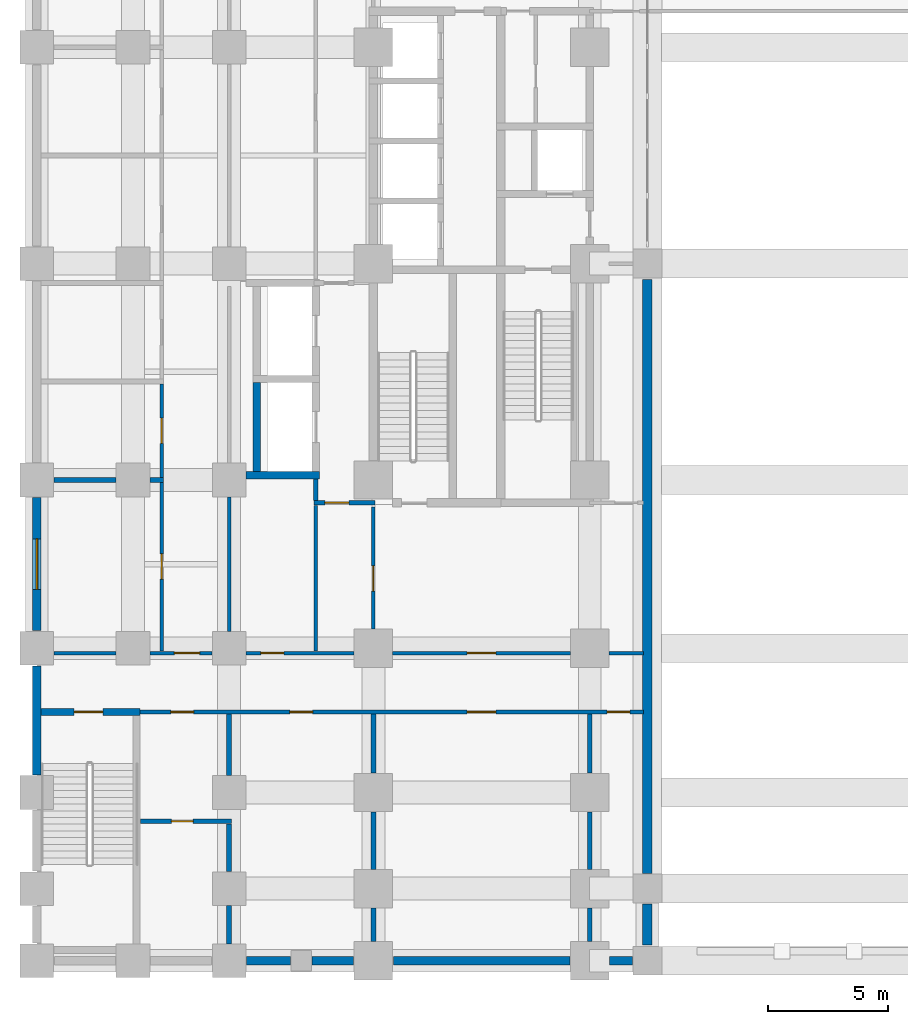
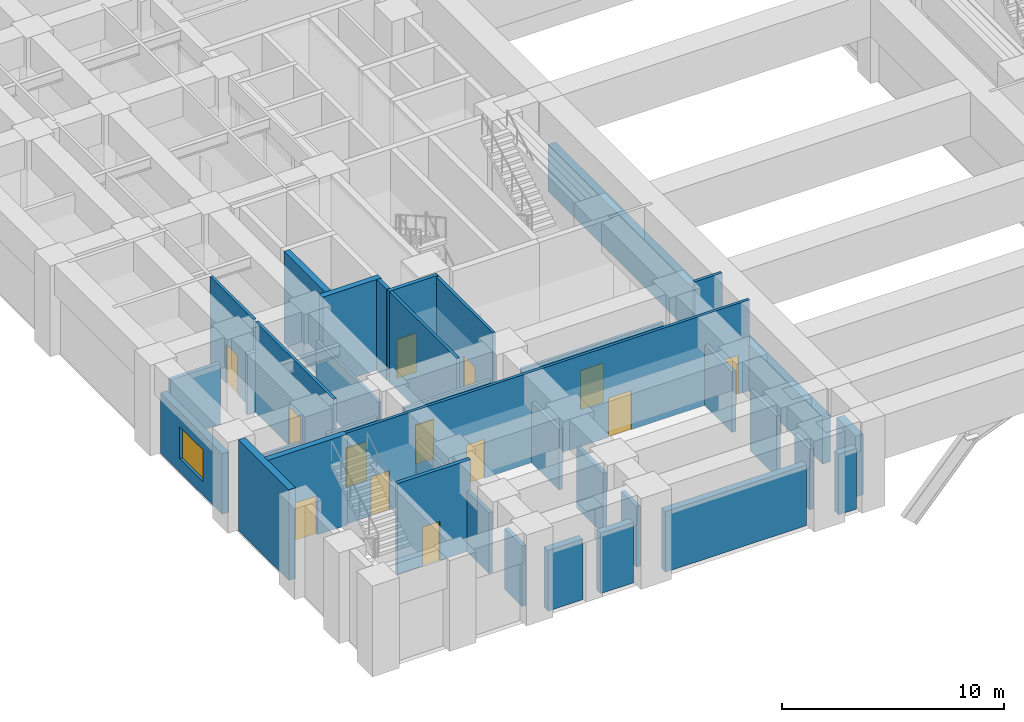
# One storey, part 11 of 24: 36 walls, 13 doors, 1 window, 14 openings.
"""IFC4 building model written with IfcOpenShell, lengths in metres."""

from ifc_helpers import new_model, si_unit, direction, frame, frame_2d, origin, place, context, subcontext, project, spatial, rectangle, extrude, material, layer, layer_set, type_object, element, fill, save


model = new_model("IFC4")

# Units and contexts
model_context = context("Model", 3, precision=1e-05, world=origin(), true_north=direction((0.0, 1.0)))
body_context = subcontext(model_context, "Body", "Model", "MODEL_VIEW")
ifc_project = project(units=[si_unit("LENGTHUNIT", "METRE"), si_unit("AREAUNIT", "SQUARE_METRE"), si_unit("VOLUMEUNIT", "CUBIC_METRE"), si_unit("PLANEANGLEUNIT", "RADIAN"), si_unit("MASSUNIT", "GRAM", prefix="KILO")], contexts=[model_context])

# Site, building, storey
site_placement = place(None, origin())
site = spatial("IfcSite", under=ifc_project, at=site_placement, CompositionType="ELEMENT")
building_placement = place(site_placement, origin())
building = spatial("IfcBuilding", under=site, at=building_placement, Name="Zulmaris Gate Convention Tower", CompositionType="ELEMENT")
storey_placement = place(building_placement, frame((0.0, 0.0, 16.320068359375)))
storey = spatial("IfcBuildingStorey", under=building, at=storey_placement, Name="L03", CompositionType="ELEMENT", Elevation=16.320068359375)

# Wall, opening, door
ifc_material_1 = material(Name="Concrete C50/60", Category="concrete")
ifc_layer_1 = layer(ifc_material_1, 0.300048828125, Name="Concrete C50/60")
ifc_layer_set_1 = layer_set([ifc_layer_1], Name="Concrete C50/60")
wall_type_1 = type_object("IfcWallType", Name="CORE-300", PredefinedType="SHEAR", material=ifc_layer_set_1)
wall_1_placement = place(storey_placement, frame((-33.8349609375, -18.64990234375, 0.0), z_axis=(0.0, 0.0, 1.0), x_axis=(1.0, 0.0, 0.0)))
wall_1 = element("IfcWall", 1, at=wall_1_placement, inside=storey, type_object=wall_type_1, Name="WL-L03-003", PredefinedType="SHEAR", context=body_context, shape_type="SweptSolid", body=[
    extrude(rectangle(XDim=4.135009765625, YDim=0.300048828125, at=frame_2d((2.0673828125, 0.0))), origin(), (0.0, 0.0, 1.0), 4.989990234375),
])
opening_1_placement = place(wall_1_placement, frame((1.385009765625, 0.0, 0.0)))
opening_1 = element("IfcOpeningElement", 2, at=opening_1_placement, cuts=wall_1, Name="Opening D-13", PredefinedType="OPENING", context=body_context, shape_type="SweptSolid", body=[
    extrude(rectangle(XDim=1.199951171875, YDim=2.14990234375, at=frame_2d((0.60009765625, 1.074951171875))), frame((0.0, 0.16015625, 0.0), z_axis=(0.0, -1.0, 0.0), x_axis=(1.0, 0.0, 0.0)), (0.0, 0.0, 1.0), 0.320068359375),
])
ifc_material_2 = material(Name="Fire-Rated Steel", Category="steel")
door_type_1 = type_object("IfcDoorType", Name="DR-1200-FD", OperationType="NOTDEFINED", PredefinedType="DOOR", material=ifc_material_2)
door_1_placement = place(opening_1_placement, origin())
door_1 = element("IfcDoor", 3, at=door_1_placement, inside=storey, type_object=door_type_1, Name="L03 Exit Stair ST-4 Door 23", OperationType="SINGLE_SWING_LEFT", OverallHeight=2.14990234375, OverallWidth=1.199951171875, PredefinedType="DOOR", context=body_context, shape_type="SweptSolid", body=[
    extrude(rectangle(XDim=1.199951171875, YDim=2.14990234375, at=frame_2d((0.60009765625, 1.074951171875))), frame((0.0, 0.02490234375, 0.0), z_axis=(0.0, -1.0, 0.0), x_axis=(1.0, 0.0, 0.0)), (0.0, 0.0, 1.0), 0.050048828125),
])
fill(opening_1, door_1)

# Walls
wall_2_placement = place(storey_placement, frame((-25.2958984375, -8.800048828125, 0.0), z_axis=(0.0, 0.0, 1.0), x_axis=(1.0, 0.0, 0.0)))
element("IfcWall", 4, at=wall_2_placement, inside=storey, type_object=wall_type_1, Name="WL-L03-009", PredefinedType="SHEAR", context=body_context, shape_type="SweptSolid", body=[
    extrude(rectangle(XDim=3.0458984375, YDim=0.300048828125, at=frame_2d((1.52294921875, 0.0))), origin(), (0.0, 0.0, 1.0), 4.989990234375),
])
wall_3_placement = place(storey_placement, frame((-24.85009765625, -8.64794921875, 0.0), z_axis=(0.0, 0.0, 1.0), x_axis=(0.0, 1.0, 0.0)))
element("IfcWall", 5, at=wall_3_placement, inside=storey, type_object=wall_type_1, Name="WL-L03-069", PredefinedType="SHEAR", context=body_context, shape_type="SweptSolid", body=[
    extrude(rectangle(XDim=3.696044921875, YDim=0.300048828125, at=frame_2d((1.84814453125, 0.0))), origin(), (0.0, 0.0, 1.0), 4.989990234375),
])

# Wall, openings, doors
ifc_material_3 = material(Name="Gypsum Metal Stud Partition")
ifc_layer_2 = layer(ifc_material_3, 0.14990234375, Name="Gypsum Metal Stud Partition")
ifc_layer_set_2 = layer_set([ifc_layer_2], Name="Gypsum Metal Stud Partition")
wall_type_2 = type_object("IfcWallType", Name="PART-150", PredefinedType="PARTITIONING", material=ifc_layer_set_2)
wall_4_placement = place(storey_placement, frame((-29.85009765625, -18.64990234375, 0.0), z_axis=(0.0, 0.0, 1.0), x_axis=(1.0, 0.0, 0.0)))
wall_4 = element("IfcWall", 6, at=wall_4_placement, inside=storey, type_object=wall_type_2, Name="WL-L03-030", PredefinedType="PARTITIONING", context=body_context, shape_type="SweptSolid", body=[
    extrude(rectangle(XDim=21.085205078125, YDim=0.14990234375, at=frame_2d((10.54248046875, 0.0))), origin(), (0.0, 0.0, 1.0), 4.989990234375),
])
opening_2_placement = place(wall_4_placement, frame((1.425048828125, 0.0, 0.0)))
opening_2 = element("IfcOpeningElement", 7, at=opening_2_placement, cuts=wall_4, Name="Opening D-11", PredefinedType="OPENING", context=body_context, shape_type="SweptSolid", body=[
    extrude(rectangle(XDim=0.949951171875, YDim=2.14990234375, at=frame_2d((0.47509765625, 1.074951171875))), frame((0.0, 0.0849609375, 0.0), z_axis=(0.0, -1.0, 0.0), x_axis=(1.0, 0.0, 0.0)), (0.0, 0.0, 1.0), 0.169921875),
])
opening_3_placement = place(wall_4_placement, frame((6.375, 0.0, 0.0)))
opening_3 = element("IfcOpeningElement", 8, at=opening_3_placement, cuts=wall_4, Name="Opening D-11", PredefinedType="OPENING", context=body_context, shape_type="SweptSolid", body=[
    extrude(rectangle(XDim=0.949951171875, YDim=2.14990234375, at=frame_2d((0.47509765625, 1.074951171875))), frame((0.0, 0.0849609375, 0.0), z_axis=(0.0, -1.0, 0.0), x_axis=(1.0, 0.0, 0.0)), (0.0, 0.0, 1.0), 0.169921875),
])
opening_4_placement = place(wall_4_placement, frame((13.75, 0.0, 0.0)))
opening_4 = element("IfcOpeningElement", 9, at=opening_4_placement, cuts=wall_4, Name="Opening D-13", PredefinedType="OPENING", context=body_context, shape_type="SweptSolid", body=[
    extrude(rectangle(XDim=1.199951171875, YDim=2.14990234375, at=frame_2d((0.60009765625, 1.074951171875))), frame((0.0, 0.0849609375, 0.0), z_axis=(0.0, -1.0, 0.0), x_axis=(1.0, 0.0, 0.0)), (0.0, 0.0, 1.0), 0.169921875),
])
opening_5_placement = place(wall_4_placement, frame((19.574951171875, 0.0, 0.0)))
opening_5 = element("IfcOpeningElement", 10, at=opening_5_placement, cuts=wall_4, Name="Opening D-11", PredefinedType="OPENING", context=body_context, shape_type="SweptSolid", body=[
    extrude(rectangle(XDim=0.949951171875, YDim=2.14990234375, at=frame_2d((0.47509765625, 1.074951171875))), frame((0.0, 0.0849609375, 0.0), z_axis=(0.0, -1.0, 0.0), x_axis=(1.0, 0.0, 0.0)), (0.0, 0.0, 1.0), 0.169921875),
])
door_2_placement = place(opening_4_placement, origin())
door_2 = element("IfcDoor", 11, at=door_2_placement, inside=storey, type_object=door_type_1, Name="L03 South-West Banquet Hall Door 83", OperationType="SINGLE_SWING_LEFT", OverallHeight=2.14990234375, OverallWidth=1.199951171875, PredefinedType="DOOR", context=body_context, shape_type="SweptSolid", body=[
    extrude(rectangle(XDim=1.199951171875, YDim=2.14990234375, at=frame_2d((0.60009765625, 1.074951171875))), frame((0.0, 0.02490234375, 0.0), z_axis=(0.0, -1.0, 0.0), x_axis=(1.0, 0.0, 0.0)), (0.0, 0.0, 1.0), 0.050048828125),
])
fill(opening_4, door_2)
ifc_material_4 = material(Name="Fire-Rated Timber", Category="wood")
door_type_2 = type_object("IfcDoorType", Name="DR-950-FD", OperationType="NOTDEFINED", PredefinedType="DOOR", material=ifc_material_4)
door_3_placement = place(opening_2_placement, origin())
door_3 = element("IfcDoor", 12, at=door_3_placement, inside=storey, type_object=door_type_2, Name="L03 SW AV Control Door 81", OperationType="SINGLE_SWING_LEFT", OverallHeight=2.14990234375, OverallWidth=0.949951171875, PredefinedType="DOOR", context=body_context, shape_type="SweptSolid", body=[
    extrude(rectangle(XDim=0.949951171875, YDim=2.14990234375, at=frame_2d((0.47509765625, 1.074951171875))), frame((0.0, 0.02490234375, 0.0), z_axis=(0.0, -1.0, 0.0), x_axis=(1.0, 0.0, 0.0)), (0.0, 0.0, 1.0), 0.050048828125),
])
fill(opening_2, door_3)
door_4_placement = place(opening_3_placement, origin())
door_4 = element("IfcDoor", 13, at=door_4_placement, inside=storey, type_object=door_type_2, Name="L03 South-West Seminar Room Door 82", OperationType="SINGLE_SWING_RIGHT", OverallHeight=2.14990234375, OverallWidth=0.949951171875, PredefinedType="DOOR", context=body_context, shape_type="SweptSolid", body=[
    extrude(rectangle(XDim=0.949951171875, YDim=2.14990234375, at=frame_2d((0.47509765625, 1.074951171875))), frame((0.0, 0.02490234375, 0.0), z_axis=(0.0, -1.0, 0.0), x_axis=(1.0, 0.0, 0.0)), (0.0, 0.0, 1.0), 0.050048828125),
])
fill(opening_3, door_4)
door_5_placement = place(opening_5_placement, origin())
door_5 = element("IfcDoor", 14, at=door_5_placement, inside=storey, type_object=door_type_2, Name="L03 South-West Furniture Store Door 84", OperationType="SINGLE_SWING_RIGHT", OverallHeight=2.14990234375, OverallWidth=0.949951171875, PredefinedType="DOOR", context=body_context, shape_type="SweptSolid", body=[
    extrude(rectangle(XDim=0.949951171875, YDim=2.14990234375, at=frame_2d((0.47509765625, 1.074951171875))), frame((0.0, 0.02490234375, 0.0), z_axis=(0.0, -1.0, 0.0), x_axis=(1.0, 0.0, 0.0)), (0.0, 0.0, 1.0), 0.050048828125),
])
fill(opening_5, door_5)

# Wall
wall_5_placement = place(storey_placement, frame((-33.2939453125, -16.199951171875, 0.0), z_axis=(0.0, 0.0, 1.0), x_axis=(1.0, 0.0, 0.0)))
element("IfcWall", 15, at=wall_5_placement, inside=storey, type_object=wall_type_2, Name="WL-L03-032", PredefinedType="PARTITIONING", context=body_context, shape_type="SweptSolid", body=[
    extrude(rectangle(XDim=2.587890625, YDim=0.14990234375, at=frame_2d((1.2939453125, 0.0))), origin(), (0.0, 0.0, 1.0), 3.33203125),
])

# Wall, opening, door
wall_6_placement = place(storey_placement, frame((-29.2939453125, -16.199951171875, 0.0), z_axis=(0.0, 0.0, 1.0), x_axis=(1.0, 0.0, 0.0)))
wall_6 = element("IfcWall", 16, at=wall_6_placement, inside=storey, type_object=wall_type_2, Name="WL-L03-032S1", PredefinedType="PARTITIONING", context=body_context, shape_type="SweptSolid", body=[
    extrude(rectangle(XDim=2.587890625, YDim=0.14990234375, at=frame_2d((1.2939453125, 0.0))), origin(), (0.0, 0.0, 1.0), 3.33203125),
])
opening_6_placement = place(wall_6_placement, frame((1.01904296875, 0.0, 0.0)))
opening_6 = element("IfcOpeningElement", 17, at=opening_6_placement, cuts=wall_6, Name="Opening D-09", PredefinedType="OPENING", context=body_context, shape_type="SweptSolid", body=[
    extrude(rectangle(XDim=1.050048828125, YDim=2.14990234375, at=frame_2d((0.52490234375, 1.074951171875))), frame((0.0, 0.0849609375, 0.0), z_axis=(0.0, -1.0, 0.0), x_axis=(1.0, 0.0, 0.0)), (0.0, 0.0, 1.0), 0.169921875),
])
door_type_3 = type_object("IfcDoorType", Name="DR-1050-FD", OperationType="NOTDEFINED", PredefinedType="DOOR", material=ifc_material_2)
door_6_placement = place(opening_6_placement, origin())
door_6 = element("IfcDoor", 18, at=door_6_placement, inside=storey, type_object=door_type_3, Name="L03 West Promenade Stair Link Door 63", OperationType="SINGLE_SWING_LEFT", OverallHeight=2.14990234375, OverallWidth=1.050048828125, PredefinedType="DOOR", context=body_context, shape_type="SweptSolid", body=[
    extrude(rectangle(XDim=1.050048828125, YDim=2.14990234375, at=frame_2d((0.52490234375, 1.074951171875))), frame((0.0, 0.02490234375, 0.0), z_axis=(0.0, -1.0, 0.0), x_axis=(1.0, 0.0, 0.0)), (0.0, 0.0, 1.0), 0.050048828125),
])
fill(opening_6, door_6)

wall_7_placement = place(storey_placement, frame((-25.2939453125, -16.199951171875, 0.0), z_axis=(0.0, 0.0, 1.0), x_axis=(1.0, 0.0, 0.0)))
wall_7 = element("IfcWall", 19, at=wall_7_placement, inside=storey, type_object=wall_type_2, Name="WL-L03-032S2", PredefinedType="PARTITIONING", context=body_context, shape_type="SweptSolid", body=[
    extrude(rectangle(XDim=4.488037109375, YDim=0.14990234375, at=frame_2d((2.244140625, 0.0))), origin(), (0.0, 0.0, 1.0), 3.33203125),
])
opening_7_placement = place(wall_7_placement, frame((0.618896484375, 0.0, 0.0)))
opening_7 = element("IfcOpeningElement", 20, at=opening_7_placement, cuts=wall_7, Name="Opening D-11", PredefinedType="OPENING", context=body_context, shape_type="SweptSolid", body=[
    extrude(rectangle(XDim=0.949951171875, YDim=2.14990234375, at=frame_2d((0.47509765625, 1.074951171875))), frame((0.0, 0.0849609375, 0.0), z_axis=(0.0, -1.0, 0.0), x_axis=(1.0, 0.0, 0.0)), (0.0, 0.0, 1.0), 0.169921875),
])
door_7_placement = place(opening_7_placement, origin())
door_7 = element("IfcDoor", 21, at=door_7_placement, inside=storey, type_object=door_type_2, Name="L03 West Staging Store Door 33", OperationType="SINGLE_SWING_LEFT", OverallHeight=2.14990234375, OverallWidth=0.949951171875, PredefinedType="DOOR", context=body_context, shape_type="SweptSolid", body=[
    extrude(rectangle(XDim=0.949951171875, YDim=2.14990234375, at=frame_2d((0.47509765625, 1.074951171875))), frame((0.0, 0.02490234375, 0.0), z_axis=(0.0, -1.0, 0.0), x_axis=(1.0, 0.0, 0.0)), (0.0, 0.0, 1.0), 0.050048828125),
])
fill(opening_7, door_7)

wall_8_placement = place(storey_placement, frame((-19.194091796875, -16.199951171875, 0.0), z_axis=(0.0, 0.0, 1.0), x_axis=(1.0, 0.0, 0.0)))
wall_8 = element("IfcWall", 22, at=wall_8_placement, inside=storey, type_object=wall_type_2, Name="WL-L03-032S3", PredefinedType="PARTITIONING", context=body_context, shape_type="SweptSolid", body=[
    extrude(rectangle(XDim=7.38818359375, YDim=0.14990234375, at=frame_2d((3.694091796875, 0.0))), origin(), (0.0, 0.0, 1.0), 3.33203125),
])
opening_8_placement = place(wall_8_placement, frame((3.093994140625, 0.0, 0.0)))
opening_8 = element("IfcOpeningElement", 23, at=opening_8_placement, cuts=wall_8, Name="Opening D-13", PredefinedType="OPENING", context=body_context, shape_type="SweptSolid", body=[
    extrude(rectangle(XDim=1.199951171875, YDim=2.14990234375, at=frame_2d((0.60009765625, 1.074951171875))), frame((0.0, 0.0849609375, 0.0), z_axis=(0.0, -1.0, 0.0), x_axis=(1.0, 0.0, 0.0)), (0.0, 0.0, 1.0), 0.169921875),
])
door_8_placement = place(opening_8_placement, origin())
door_8 = element("IfcDoor", 24, at=door_8_placement, inside=storey, type_object=door_type_1, Name="L03 SW Stair Link Door 44", OperationType="SINGLE_SWING_RIGHT", OverallHeight=2.14990234375, OverallWidth=1.199951171875, PredefinedType="DOOR", context=body_context, shape_type="SweptSolid", body=[
    extrude(rectangle(XDim=1.199951171875, YDim=2.14990234375, at=frame_2d((0.60009765625, 1.074951171875))), frame((0.0, 0.02490234375, 0.0), z_axis=(0.0, -1.0, 0.0), x_axis=(1.0, 0.0, 0.0)), (0.0, 0.0, 1.0), 0.050048828125),
])
fill(opening_8, door_8)

# Wall
wall_9_placement = place(storey_placement, frame((-10.194091796875, -16.199951171875, 0.0), z_axis=(0.0, 0.0, 1.0), x_axis=(1.0, 0.0, 0.0)))
element("IfcWall", 25, at=wall_9_placement, inside=storey, type_object=wall_type_2, Name="WL-L03-032S4", PredefinedType="PARTITIONING", context=body_context, shape_type="SweptSolid", body=[
    extrude(rectangle(XDim=1.42919921875, YDim=0.14990234375, at=frame_2d((0.714599609375, 0.0))), origin(), (0.0, 0.0, 1.0), 4.989990234375),
])

# Wall, opening, door
wall_10_placement = place(storey_placement, frame((-28.800048828125, -16.1220703125, 0.0), z_axis=(0.0, 0.0, 1.0), x_axis=(0.0, 1.0, 0.0)))
wall_10 = element("IfcWall", 26, at=wall_10_placement, inside=storey, type_object=wall_type_2, Name="WL-L03-111", PredefinedType="PARTITIONING", context=body_context, shape_type="SweptSolid", body=[
    extrude(rectangle(XDim=7.01904296875, YDim=0.14990234375, at=frame_2d((3.509521484375, 0.0))), origin(), (0.0, 0.0, 1.0), 4.989990234375),
])
opening_9_placement = place(wall_10_placement, frame((2.9970703125, 0.0, 0.0)))
opening_9 = element("IfcOpeningElement", 27, at=opening_9_placement, cuts=wall_10, Name="Opening D-09", PredefinedType="OPENING", context=body_context, shape_type="SweptSolid", body=[
    extrude(rectangle(XDim=1.050048828125, YDim=2.14990234375, at=frame_2d((0.52490234375, 1.074951171875))), frame((0.0, 0.0849609375, 0.0), z_axis=(0.0, -1.0, 0.0), x_axis=(1.0, 0.0, 0.0)), (0.0, 0.0, 1.0), 0.169921875),
])
door_9_placement = place(opening_9_placement, origin())
door_9 = element("IfcDoor", 28, at=door_9_placement, inside=storey, type_object=door_type_3, Name="L03 SW Workshop WL1 Door 65", OperationType="SINGLE_SWING_LEFT", OverallHeight=2.14990234375, OverallWidth=1.050048828125, PredefinedType="DOOR", context=body_context, shape_type="SweptSolid", body=[
    extrude(rectangle(XDim=1.050048828125, YDim=2.14990234375, at=frame_2d((0.52490234375, 1.074951171875))), frame((0.0, 0.02490234375, 0.0), z_axis=(0.0, -1.0, 0.0), x_axis=(1.0, 0.0, 0.0)), (0.0, 0.0, 1.0), 0.050048828125),
])
fill(opening_9, door_9)

wall_11_placement = place(storey_placement, frame((-28.800048828125, -8.89697265625, 0.0), z_axis=(0.0, 0.0, 1.0), x_axis=(0.0, 1.0, 0.0)))
wall_11 = element("IfcWall", 29, at=wall_11_placement, inside=storey, type_object=wall_type_2, Name="WL-L03-112", PredefinedType="PARTITIONING", context=body_context, shape_type="SweptSolid", body=[
    extrude(rectangle(XDim=3.89404296875, YDim=0.14990234375, at=frame_2d((1.947021484375, 0.0))), origin(), (0.0, 0.0, 1.0), 4.989990234375),
])
opening_10_placement = place(wall_11_placement, frame((1.422119140625, 0.0, 0.0)))
opening_10 = element("IfcOpeningElement", 30, at=opening_10_placement, cuts=wall_11, Name="Opening D-09", PredefinedType="OPENING", context=body_context, shape_type="SweptSolid", body=[
    extrude(rectangle(XDim=1.050048828125, YDim=2.14990234375, at=frame_2d((0.52490234375, 1.074951171875))), frame((0.0, 0.0849609375, 0.0), z_axis=(0.0, -1.0, 0.0), x_axis=(1.0, 0.0, 0.0)), (0.0, 0.0, 1.0), 0.169921875),
])
door_10_placement = place(opening_10_placement, origin())
door_10 = element("IfcDoor", 31, at=door_10_placement, inside=storey, type_object=door_type_3, Name="L03 SW Workshop WL2 Door 66", OperationType="SINGLE_SWING_RIGHT", OverallHeight=2.14990234375, OverallWidth=1.050048828125, PredefinedType="DOOR", context=body_context, shape_type="SweptSolid", body=[
    extrude(rectangle(XDim=1.050048828125, YDim=2.14990234375, at=frame_2d((0.52490234375, 1.074951171875))), frame((0.0, 0.02490234375, 0.0), z_axis=(0.0, -1.0, 0.0), x_axis=(1.0, 0.0, 0.0)), (0.0, 0.0, 1.0), 0.050048828125),
])
fill(opening_10, door_10)

# Walls
wall_12_placement = place(storey_placement, frame((-26.0, -15.2939453125, 0.0), z_axis=(0.0, 0.0, 1.0), x_axis=(0.0, 1.0, 0.0)))
element("IfcWall", 32, at=wall_12_placement, inside=storey, type_object=wall_type_2, Name="WL-L03-119", PredefinedType="PARTITIONING", context=body_context, shape_type="SweptSolid", body=[
    extrude(rectangle(XDim=5.587890625, YDim=0.14990234375, at=frame_2d((2.7939453125, 0.0))), origin(), (0.0, 0.0, 1.0), 3.33203125),
])
wall_13_placement = place(storey_placement, frame((-22.39990234375, -16.1220703125, 0.0), z_axis=(0.0, 0.0, 1.0), x_axis=(0.0, 1.0, 0.0)))
element("IfcWall", 33, at=wall_13_placement, inside=storey, type_object=wall_type_2, Name="WL-L03-124", PredefinedType="PARTITIONING", context=body_context, shape_type="SweptSolid", body=[
    extrude(rectangle(XDim=6.069091796875, YDim=0.14990234375, at=frame_2d((3.03466796875, 0.0))), origin(), (0.0, 0.0, 1.0), 4.989990234375),
])

# Wall, opening, door
wall_14_placement = place(storey_placement, frame((-20.0, -15.194091796875, 0.0), z_axis=(0.0, 0.0, 1.0), x_axis=(0.0, 1.0, 0.0)))
wall_14 = element("IfcWall", 34, at=wall_14_placement, inside=storey, type_object=wall_type_2, Name="WL-L03-128", PredefinedType="PARTITIONING", context=body_context, shape_type="SweptSolid", body=[
    extrude(rectangle(XDim=5.066162109375, YDim=0.14990234375, at=frame_2d((2.533203125, 0.0))), origin(), (0.0, 0.0, 1.0), 4.989990234375),
])
opening_11_placement = place(wall_14_placement, frame((1.569091796875, 0.0, 0.0)))
opening_11 = element("IfcOpeningElement", 35, at=opening_11_placement, cuts=wall_14, Name="Opening D-09", PredefinedType="OPENING", context=body_context, shape_type="SweptSolid", body=[
    extrude(rectangle(XDim=1.050048828125, YDim=2.14990234375, at=frame_2d((0.52490234375, 1.074951171875))), frame((0.0, 0.0849609375, 0.0), z_axis=(0.0, -1.0, 0.0), x_axis=(1.0, 0.0, 0.0)), (0.0, 0.0, 1.0), 0.169921875),
])
door_11_placement = place(opening_11_placement, origin())
door_11 = element("IfcDoor", 36, at=door_11_placement, inside=storey, type_object=door_type_3, Name="L03 SW Goods Passage Link Door 32", OperationType="SINGLE_SWING_RIGHT", OverallHeight=2.14990234375, OverallWidth=1.050048828125, PredefinedType="DOOR", context=body_context, shape_type="SweptSolid", body=[
    extrude(rectangle(XDim=1.050048828125, YDim=2.14990234375, at=frame_2d((0.52490234375, 1.074951171875))), frame((0.0, 0.02490234375, 0.0), z_axis=(0.0, -1.0, 0.0), x_axis=(1.0, 0.0, 0.0)), (0.0, 0.0, 1.0), 0.050048828125),
])
fill(opening_11, door_11)

ifc_material_5 = material(Name="Autoclaved Aerated Concrete Block and Plasterboard", Category="concrete")
ifc_layer_3 = layer(ifc_material_5, 0.199951171875, Name="Autoclaved Aerated Concrete Block and Plasterboard")
ifc_layer_set_3 = layer_set([ifc_layer_3], Name="Autoclaved Aerated Concrete Block and Plasterboard")
wall_type_3 = type_object("IfcWallType", Name="PART-200", PredefinedType="PARTITIONING", material=ifc_layer_set_3)
wall_15_placement = place(storey_placement, frame((-29.697021484375, -23.199951171875, 0.0), z_axis=(0.0, 0.0, 1.0), x_axis=(1.0, 0.0, 0.0)))
wall_15 = element("IfcWall", 37, at=wall_15_placement, inside=storey, type_object=wall_type_3, Name="WL-L03-029", PredefinedType="PARTITIONING", context=body_context, shape_type="SweptSolid", body=[
    extrude(rectangle(XDim=3.797119140625, YDim=0.199951171875, at=frame_2d((1.8984375, 0.0))), origin(), (0.0, 0.0, 1.0), 4.989990234375),
])
opening_12_placement = place(wall_15_placement, frame((1.297119140625, 0.0, 0.0)))
opening_12 = element("IfcOpeningElement", 38, at=opening_12_placement, cuts=wall_15, Name="Opening D-12", PredefinedType="OPENING", context=body_context, shape_type="SweptSolid", body=[
    extrude(rectangle(XDim=0.89990234375, YDim=2.14990234375, at=frame_2d((0.449951171875, 1.074951171875))), frame((0.0, 0.10986328125, 0.0), z_axis=(0.0, -1.0, 0.0), x_axis=(1.0, 0.0, 0.0)), (0.0, 0.0, 1.0), 0.219970703125),
])
door_type_4 = type_object("IfcDoorType", Name="DR-900-FD", OperationType="NOTDEFINED", PredefinedType="DOOR", material=ifc_material_4)
door_12_placement = place(opening_12_placement, origin())
door_12 = element("IfcDoor", 39, at=door_12_placement, inside=storey, type_object=door_type_4, Name="L03 SW AV Store Door 80", OperationType="SINGLE_SWING_RIGHT", OverallHeight=2.14990234375, OverallWidth=0.89990234375, PredefinedType="DOOR", context=body_context, shape_type="SweptSolid", body=[
    extrude(rectangle(XDim=0.89990234375, YDim=2.14990234375, at=frame_2d((0.449951171875, 1.074951171875))), frame((0.0, 0.02490234375, 0.0), z_axis=(0.0, -1.0, 0.0), x_axis=(1.0, 0.0, 0.0)), (0.0, 0.0, 1.0), 0.050048828125),
])
fill(opening_12, door_12)

wall_16_placement = place(storey_placement, frame((-22.47509765625, -9.949951171875, 0.0), z_axis=(0.0, 0.0, 1.0), x_axis=(1.0, 0.0, 0.0)))
wall_16 = element("IfcWall", 40, at=wall_16_placement, inside=storey, type_object=wall_type_3, Name="WL-L03-034", PredefinedType="PARTITIONING", context=body_context, shape_type="SweptSolid", body=[
    extrude(rectangle(XDim=2.550048828125, YDim=0.199951171875, at=frame_2d((1.27490234375, 0.0))), origin(), (0.0, 0.0, 1.0), 4.989990234375),
])
opening_13_placement = place(wall_16_placement, frame((0.455078125, 0.0, 0.0)))
opening_13 = element("IfcOpeningElement", 41, at=opening_13_placement, cuts=wall_16, Name="Opening D-10", PredefinedType="OPENING", context=body_context, shape_type="SweptSolid", body=[
    extrude(rectangle(XDim=1.0, YDim=2.14990234375, at=frame_2d((0.5, 1.074951171875))), frame((0.0, 0.10986328125, 0.0), z_axis=(0.0, -1.0, 0.0), x_axis=(1.0, 0.0, 0.0)), (0.0, 0.0, 1.0), 0.219970703125),
])
door_type_5 = type_object("IfcDoorType", Name="DR-1000-FD", OperationType="NOTDEFINED", PredefinedType="DOOR", material=ifc_material_4)
door_13_placement = place(opening_13_placement, origin())
door_13 = element("IfcDoor", 42, at=door_13_placement, inside=storey, type_object=door_type_5, Name="L03 Goods Lobby South Door 31", OperationType="SINGLE_SWING_LEFT", OverallHeight=2.14990234375, OverallWidth=1.0, PredefinedType="DOOR", context=body_context, shape_type="SweptSolid", body=[
    extrude(rectangle(XDim=1.0, YDim=2.14990234375, at=frame_2d((0.5, 1.074951171875))), frame((0.0, 0.02490234375, 0.0), z_axis=(0.0, -1.0, 0.0), x_axis=(1.0, 0.0, 0.0)), (0.0, 0.0, 1.0), 0.050048828125),
])
fill(opening_13, door_13)

# Walls
wall_17_placement = place(storey_placement, frame((-33.2939453125, -9.0, 0.0), z_axis=(0.0, 0.0, 1.0), x_axis=(1.0, 0.0, 0.0)))
element("IfcWall", 43, at=wall_17_placement, inside=storey, type_object=wall_type_3, Name="WL-L03-037", PredefinedType="PARTITIONING", context=body_context, shape_type="SweptSolid", body=[
    extrude(rectangle(XDim=2.587890625, YDim=0.199951171875, at=frame_2d((1.2939453125, 0.0))), origin(), (0.0, 0.0, 1.0), 3.33203125),
])
wall_18_placement = place(storey_placement, frame((-29.2939453125, -9.0, 0.0), z_axis=(0.0, 0.0, 1.0), x_axis=(1.0, 0.0, 0.0)))
element("IfcWall", 44, at=wall_18_placement, inside=storey, type_object=wall_type_3, Name="WL-L03-037S1", PredefinedType="PARTITIONING", context=body_context, shape_type="SweptSolid", body=[
    extrude(rectangle(XDim=0.56884765625, YDim=0.199951171875, at=frame_2d((0.284423828125, 0.0))), origin(), (0.0, 0.0, 1.0), 3.33203125),
])
wall_19_placement = place(storey_placement, frame((-26.0, -28.2939453125, 0.0), z_axis=(0.0, 0.0, 1.0), x_axis=(0.0, 1.0, 0.0)))
element("IfcWall", 45, at=wall_19_placement, inside=storey, type_object=wall_type_3, Name="WL-L03-117", PredefinedType="PARTITIONING", context=body_context, shape_type="SweptSolid", body=[
    extrude(rectangle(XDim=1.587890625, YDim=0.199951171875, at=frame_2d((0.7939453125, 0.0))), origin(), (0.0, 0.0, 1.0), 3.33203125),
])
wall_20_placement = place(storey_placement, frame((-26.0, -25.2939453125, 0.0), z_axis=(0.0, 0.0, 1.0), x_axis=(0.0, 1.0, 0.0)))
element("IfcWall", 46, at=wall_20_placement, inside=storey, type_object=wall_type_3, Name="WL-L03-117S1", PredefinedType="PARTITIONING", context=body_context, shape_type="SweptSolid", body=[
    extrude(rectangle(XDim=1.990966796875, YDim=0.199951171875, at=frame_2d((0.99560546875, 0.0))), origin(), (0.0, 0.0, 1.0), 3.33203125),
])
wall_21_placement = place(storey_placement, frame((-26.0, -21.2939453125, 0.0), z_axis=(0.0, 0.0, 1.0), x_axis=(0.0, 1.0, 0.0)))
element("IfcWall", 47, at=wall_21_placement, inside=storey, type_object=wall_type_3, Name="WL-L03-118", PredefinedType="PARTITIONING", context=body_context, shape_type="SweptSolid", body=[
    extrude(rectangle(XDim=2.56591796875, YDim=0.199951171875, at=frame_2d((1.282958984375, 0.0))), origin(), (0.0, 0.0, 1.0), 3.33203125),
])
wall_22_placement = place(storey_placement, frame((-22.39990234375, -9.846923828125, 0.0), z_axis=(0.0, 0.0, 1.0), x_axis=(0.0, 1.0, 0.0)))
element("IfcWall", 48, at=wall_22_placement, inside=storey, type_object=wall_type_3, Name="WL-L03-125", PredefinedType="PARTITIONING", context=body_context, shape_type="SweptSolid", body=[
    extrude(rectangle(XDim=0.89404296875, YDim=0.199951171875, at=frame_2d((0.447021484375, 0.0))), origin(), (0.0, 0.0, 1.0), 4.989990234375),
])
wall_23_placement = place(storey_placement, frame((-20.0, -28.194091796875, 0.0), z_axis=(0.0, 0.0, 1.0), x_axis=(0.0, 1.0, 0.0)))
element("IfcWall", 49, at=wall_23_placement, inside=storey, type_object=wall_type_3, Name="WL-L03-127", PredefinedType="PARTITIONING", context=body_context, shape_type="SweptSolid", body=[
    extrude(rectangle(XDim=1.38818359375, YDim=0.199951171875, at=frame_2d((0.694091796875, 0.0))), origin(), (0.0, 0.0, 1.0), 3.33203125),
])
wall_24_placement = place(storey_placement, frame((-20.0, -25.194091796875, 0.0), z_axis=(0.0, 0.0, 1.0), x_axis=(0.0, 1.0, 0.0)))
element("IfcWall", 50, at=wall_24_placement, inside=storey, type_object=wall_type_3, Name="WL-L03-127S1", PredefinedType="PARTITIONING", context=body_context, shape_type="SweptSolid", body=[
    extrude(rectangle(XDim=2.38818359375, YDim=0.199951171875, at=frame_2d((1.194091796875, 0.0))), origin(), (0.0, 0.0, 1.0), 3.33203125),
])
wall_25_placement = place(storey_placement, frame((-20.0, -21.194091796875, 0.0), z_axis=(0.0, 0.0, 1.0), x_axis=(0.0, 1.0, 0.0)))
element("IfcWall", 51, at=wall_25_placement, inside=storey, type_object=wall_type_3, Name="WL-L03-127S2", PredefinedType="PARTITIONING", context=body_context, shape_type="SweptSolid", body=[
    extrude(rectangle(XDim=2.466064453125, YDim=0.199951171875, at=frame_2d((1.23291015625, 0.0))), origin(), (0.0, 0.0, 1.0), 3.33203125),
])
wall_26_placement = place(storey_placement, frame((-11.0, -28.194091796875, 0.0), z_axis=(0.0, 0.0, 1.0), x_axis=(0.0, 1.0, 0.0)))
element("IfcWall", 52, at=wall_26_placement, inside=storey, type_object=wall_type_3, Name="WL-L03-134", PredefinedType="PARTITIONING", context=body_context, shape_type="SweptSolid", body=[
    extrude(rectangle(XDim=1.38818359375, YDim=0.199951171875, at=frame_2d((0.694091796875, 0.0))), origin(), (0.0, 0.0, 1.0), 3.33203125),
])
wall_27_placement = place(storey_placement, frame((-11.0, -25.194091796875, 0.0), z_axis=(0.0, 0.0, 1.0), x_axis=(0.0, 1.0, 0.0)))
element("IfcWall", 53, at=wall_27_placement, inside=storey, type_object=wall_type_3, Name="WL-L03-134S1", PredefinedType="PARTITIONING", context=body_context, shape_type="SweptSolid", body=[
    extrude(rectangle(XDim=2.38818359375, YDim=0.199951171875, at=frame_2d((1.194091796875, 0.0))), origin(), (0.0, 0.0, 1.0), 3.33203125),
])
wall_28_placement = place(storey_placement, frame((-11.0, -21.194091796875, 0.0), z_axis=(0.0, 0.0, 1.0), x_axis=(0.0, 1.0, 0.0)))
element("IfcWall", 54, at=wall_28_placement, inside=storey, type_object=wall_type_3, Name="WL-L03-134S2", PredefinedType="PARTITIONING", context=body_context, shape_type="SweptSolid", body=[
    extrude(rectangle(XDim=2.466064453125, YDim=0.199951171875, at=frame_2d((1.23291015625, 0.0))), origin(), (0.0, 0.0, 1.0), 3.33203125),
])
ifc_material_6 = material(Name="Precast concrete C50/60", Category="concrete")
ifc_layer_4 = layer(ifc_material_6, 0.39990234375, Name="Precast concrete C50/60")
ifc_layer_set_4 = layer_set([ifc_layer_4], Name="Precast concrete C50/60")
wall_type_4 = type_object("IfcWallType", Name="PRECAST-ARCH-400", PredefinedType="STANDARD", material=ifc_layer_set_4)
wall_29_placement = place(storey_placement, frame((-8.60009765625, -28.35009765625, 0.0), z_axis=(0.0, 0.0, 1.0), x_axis=(0.0, 1.0, 0.0)))
element("IfcWall", 55, at=wall_29_placement, inside=storey, type_object=wall_type_4, Name="EW-L03-ARCH-WS_0", PredefinedType="STANDARD", context=body_context, shape_type="SweptSolid", body=[
    extrude(rectangle(XDim=1.72021484375, YDim=0.39990234375, at=frame_2d((0.860107421875, 0.0))), origin(), (0.0, 0.0, 1.0), 3.33203125),
])
wall_30_placement = place(storey_placement, frame((-8.60009765625, -25.3701171875, 0.0), z_axis=(0.0, 0.0, 1.0), x_axis=(0.0, 1.0, 0.0)))
element("IfcWall", 56, at=wall_30_placement, inside=storey, type_object=wall_type_4, Name="EW-L03-ARCH-WS_1", PredefinedType="STANDARD", context=body_context, shape_type="SweptSolid", body=[
    extrude(rectangle(XDim=24.72021484375, YDim=0.39990234375, at=frame_2d((12.360107421875, 0.0))), origin(), (0.0, 0.0, 1.0), 2.58203125),
])
ifc_material_7 = material(Name="Precast concrete C45/55", Category="concrete")
ifc_layer_5 = layer(ifc_material_7, 0.35009765625, Name="Precast concrete C45/55")
ifc_layer_set_5 = layer_set([ifc_layer_5], Name="Precast concrete C45/55")
wall_type_5 = type_object("IfcWallType", Name="PRECAST-POD-350", PredefinedType="STANDARD", material=ifc_layer_set_5)
wall_31_placement = place(storey_placement, frame((-25.27001953125, -29.0, 0.0), z_axis=(0.0, 0.0, 1.0), x_axis=(1.0, 0.0, 0.0)))
element("IfcWall", 57, at=wall_31_placement, inside=storey, type_object=wall_type_5, Name="EW-L03-S--260_0", PredefinedType="STANDARD", context=body_context, shape_type="SweptSolid", body=[
    extrude(rectangle(XDim=1.81494140625, YDim=0.35009765625, at=frame_2d((0.907470703125, 0.0))), origin(), (0.0, 0.0, 1.0), 3.33203125),
])
wall_32_placement = place(storey_placement, frame((-22.544921875, -29.0, 0.0), z_axis=(0.0, 0.0, 1.0), x_axis=(1.0, 0.0, 0.0)))
element("IfcWall", 58, at=wall_32_placement, inside=storey, type_object=wall_type_5, Name="EW-L03-S--230_0", PredefinedType="STANDARD", context=body_context, shape_type="SweptSolid", body=[
    extrude(rectangle(XDim=1.71484375, YDim=0.35009765625, at=frame_2d((0.857421875, 0.0))), origin(), (0.0, 0.0, 1.0), 3.33203125),
])
wall_33_placement = place(storey_placement, frame((-19.169921875, -29.0, 0.0), z_axis=(0.0, 0.0, 1.0), x_axis=(1.0, 0.0, 0.0)))
element("IfcWall", 59, at=wall_33_placement, inside=storey, type_object=wall_type_5, Name="EW-L03-S--200_0", PredefinedType="STANDARD", context=body_context, shape_type="SweptSolid", body=[
    extrude(rectangle(XDim=7.33984375, YDim=0.35009765625, at=frame_2d((3.669921875, 0.0))), origin(), (0.0, 0.0, 1.0), 3.33203125),
])
wall_34_placement = place(storey_placement, frame((-10.169921875, -29.0, 0.0), z_axis=(0.0, 0.0, 1.0), x_axis=(1.0, 0.0, 0.0)))
element("IfcWall", 60, at=wall_34_placement, inside=storey, type_object=wall_type_5, Name="EW-L03-S--110_0", PredefinedType="STANDARD", context=body_context, shape_type="SweptSolid", body=[
    extrude(rectangle(XDim=0.93994140625, YDim=0.35009765625, at=frame_2d((0.469970703125, 0.0))), origin(), (0.0, 0.0, 1.0), 3.33203125),
])
wall_35_placement = place(storey_placement, frame((-34.0, -21.27001953125, 0.0), z_axis=(0.0, 0.0, 1.0), x_axis=(0.0, 1.0, 0.0)))
element("IfcWall", 61, at=wall_35_placement, inside=storey, type_object=wall_type_5, Name="EW-L03-W--22_0", PredefinedType="STANDARD", context=body_context, shape_type="SweptSolid", body=[
    extrude(rectangle(XDim=4.5400390625, YDim=0.35009765625, at=frame_2d((2.27001953125, 0.0))), origin(), (0.0, 0.0, 1.0), 4.989990234375),
])

# Wall, opening, window
wall_36_placement = place(storey_placement, frame((-34.0, -15.27001953125, 0.0), z_axis=(0.0, 0.0, 1.0), x_axis=(0.0, 1.0, 0.0)))
wall_36 = element("IfcWall", 62, at=wall_36_placement, inside=storey, type_object=wall_type_5, Name="EW-L03-W--16_0", PredefinedType="STANDARD", context=body_context, shape_type="SweptSolid", body=[
    extrude(rectangle(XDim=5.5400390625, YDim=0.35009765625, at=frame_2d((2.77001953125, 0.0))), origin(), (0.0, 0.0, 1.0), 3.33203125),
])
opening_14_placement = place(wall_36_placement, frame((1.719970703125, 0.0, 0.75)))
opening_14 = element("IfcOpeningElement", 63, at=opening_14_placement, cuts=wall_36, Name="Opening W-05", PredefinedType="OPENING", context=body_context, shape_type="SweptSolid", body=[
    extrude(rectangle(XDim=2.10009765625, YDim=1.75, at=frame_2d((1.050048828125, 0.875))), frame((0.0, 0.18505859375, 0.0), z_axis=(0.0, -1.0, 0.0), x_axis=(1.0, 0.0, 0.0)), (0.0, 0.0, 1.0), 0.3701171875),
])
ifc_material_8 = material(Name="Low-E Laminated Double Glazing in Aluminium Frame", Category="aluminium")
window_type = type_object("IfcWindowType", Name="WIN-2100x2400", PartitioningType="SINGLE_PANEL", PredefinedType="WINDOW", material=ifc_material_8)
window_placement = place(opening_14_placement, origin())
window = element("IfcWindow", 64, at=window_placement, inside=storey, type_object=window_type, Name="WN-EW-L03-W--16_0", OverallHeight=1.75, OverallWidth=2.10009765625, PartitioningType="SINGLE_PANEL", PredefinedType="WINDOW", context=body_context, shape_type="SweptSolid", body=[
    extrude(rectangle(XDim=2.10009765625, YDim=1.75, at=frame_2d((1.050048828125, 0.875))), frame((0.0, 0.030029296875, 0.0), z_axis=(0.0, -1.0, 0.0), x_axis=(1.0, 0.0, 0.0)), (0.0, 0.0, 1.0), 0.06005859375),
])
fill(opening_14, window)

save(model, "model.ifc")
